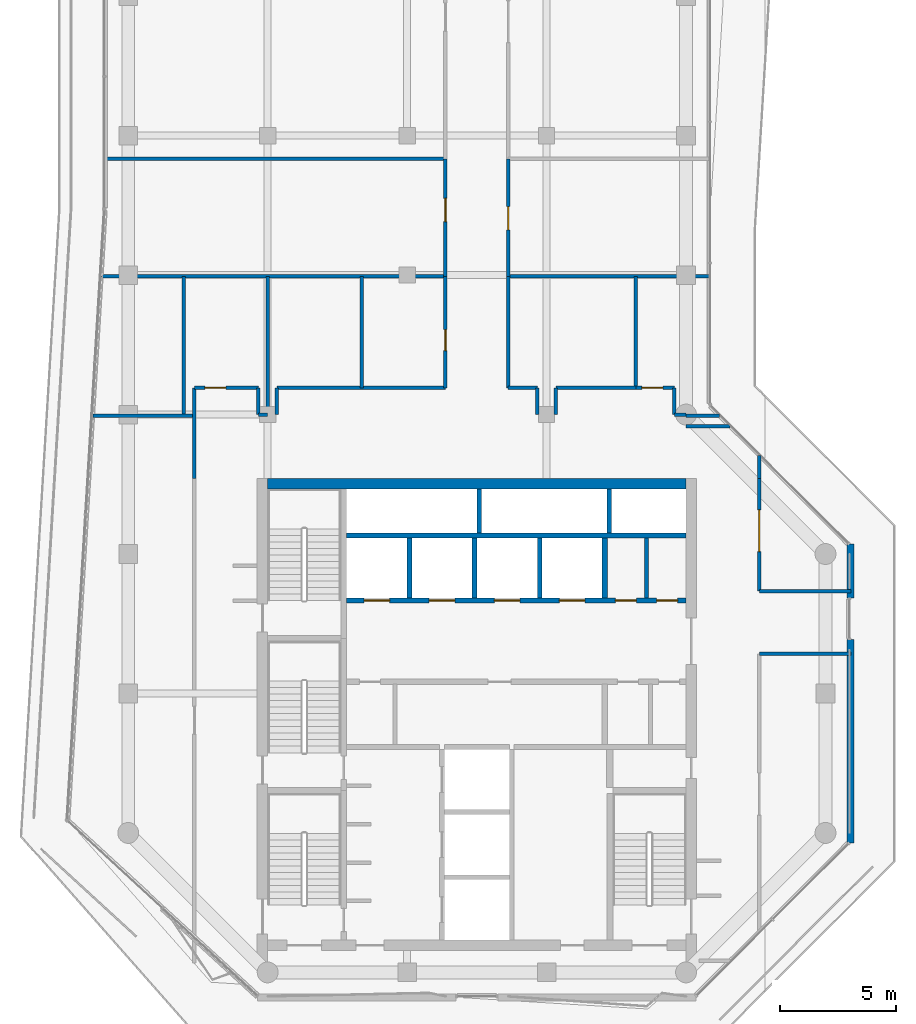
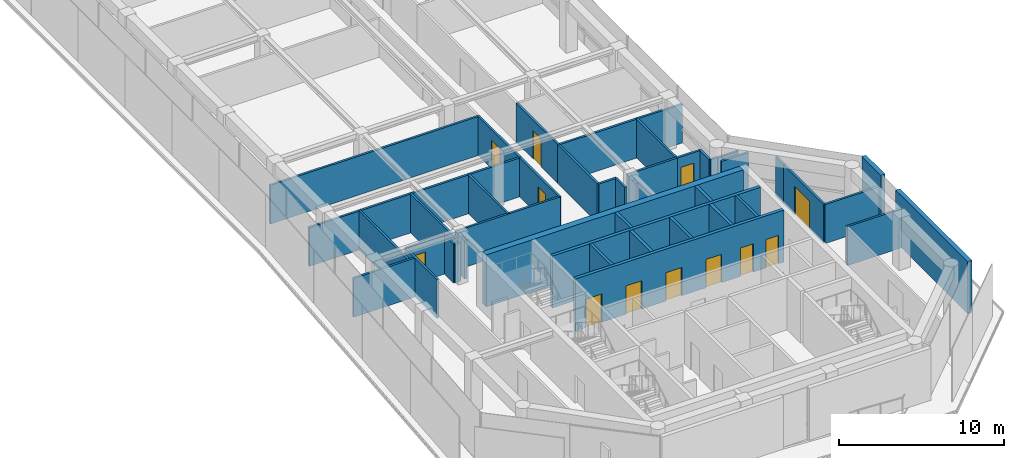
# One storey, part 16 of 19: 43 walls, 12 doors, 12 openings.
"""IFC4 building model written with IfcOpenShell, lengths in metres."""

import ifcopenshell
import ifcopenshell.guid

model = None  # the IFC model being written
_history = None  # IfcOwnerHistory: only IFC2X3 demands one
_inside = {}  # id of a spatial element -> (the spatial element, [elements in it])
_under = {}  # id of a project, library or spatial element -> (it, [spatial elements below it])
_declared = {}  # id of a project -> (the project, [libraries it declares])
_typed = {}  # id of a type object -> (the type object, [elements of that type])
_made_of = {}  # id of a material, layer set ... -> (it, [elements and type objects made of it])


def new_model(schema):
    """Start an empty IFC model of exactly this schema.

    Asked for "IFC4X3", IfcOpenShell would pick the latest addendum, in which some entities
    have other attributes; the version numbers below select the first issue.
    IFC2X3 requires an IfcOwnerHistory on every rooted entity: one is made here for all.
    """
    global model, _history
    if schema == "IFC4X3":
        model = ifcopenshell.file(schema_version=(4, 3, 0, 0))
    else:
        model = ifcopenshell.file(schema=schema)
    _inside.clear()
    _under.clear()
    _declared.clear()
    _typed.clear()
    _made_of.clear()
    _history = None
    if model.schema == "IFC2X3":
        org = make("IfcOrganization", Name="unknown")
        user = make(
            "IfcPersonAndOrganization",
            ThePerson=make("IfcPerson", FamilyName="unknown"),
            TheOrganization=org,
        )
        app = make(
            "IfcApplication",
            ApplicationDeveloper=org,
            Version="unknown",
            ApplicationFullName="unknown",
            ApplicationIdentifier="unknown",
        )
        _history = make(
            "IfcOwnerHistory",
            OwningUser=user,
            OwningApplication=app,
            ChangeAction="ADDED",
            CreationDate=0,
        )
    return model


def make(cls, **values):
    """One entity of the class cls with the attributes given. An attribute that is None is left unset."""
    return model.create_entity(
        cls, **{name: value for name, value in values.items() if value is not None}
    )


def rooted(cls, **values):
    """An entity with a GlobalId (a new one), such as an element, a storey or a relation."""
    return make(cls, GlobalId=ifcopenshell.guid.new(), OwnerHistory=_history, **values)


def si_unit(unit_type, name, prefix=None):
    """IfcSIUnit, for example si_unit("LENGTHUNIT", "METRE", prefix="MILLI")."""
    return make("IfcSIUnit", UnitType=unit_type, Prefix=prefix, Name=name)


def assignment(units):
    """IfcUnitAssignment: the units of a project."""
    return None if units is None else make("IfcUnitAssignment", Units=units)


def point(xyz):
    """IfcCartesianPoint."""
    return None if xyz is None else make("IfcCartesianPoint", Coordinates=xyz)


def direction(xyz):
    """IfcDirection."""
    return None if xyz is None else make("IfcDirection", DirectionRatios=xyz)


def frame(location, z_axis=None, x_axis=None):
    """IfcAxis2Placement3D, a coordinate frame: its origin and axes. An axis left out is left unset."""
    return make(
        "IfcAxis2Placement3D",
        Location=point(location),
        Axis=direction(z_axis),
        RefDirection=direction(x_axis),
    )


def frame_2d(location, x_axis=None):
    """IfcAxis2Placement2D, a coordinate frame in the plane: its origin and x axis."""
    return make(
        "IfcAxis2Placement2D", Location=point(location), RefDirection=direction(x_axis)
    )


def origin():
    """The frame at (0, 0, 0) with its axes left unset."""
    return frame((0.0, 0.0, 0.0))


def place(relative_to, where):
    """IfcLocalPlacement: puts the frame where relative to a parent placement (None: the world)."""
    return make(
        "IfcLocalPlacement", PlacementRelTo=relative_to, RelativePlacement=where
    )


def context(
    kind, dimensions, precision=None, world=None, true_north=None, identifier=None
):
    """IfcGeometricRepresentationContext, for example the 3D "Model" context."""
    return make(
        "IfcGeometricRepresentationContext",
        ContextIdentifier=identifier,
        ContextType=kind,
        CoordinateSpaceDimension=dimensions,
        Precision=precision,
        WorldCoordinateSystem=world,
        TrueNorth=true_north,
    )


def subcontext(parent, identifier, kind, view, scale=None):
    """IfcGeometricRepresentationSubContext, for example "Body" below "Model"."""
    return make(
        "IfcGeometricRepresentationSubContext",
        ContextIdentifier=identifier,
        ContextType=kind,
        ParentContext=parent,
        TargetScale=scale,
        TargetView=view,
    )


def project(units=None, contexts=None):
    """IfcProject with its units and contexts."""
    return rooted(
        "IfcProject",
        Name="project",
        RepresentationContexts=contexts,
        UnitsInContext=assignment(units),
    )


def spatial(cls, under=None, at=None, **own):
    """A site, building, storey or space (cls), placed at a placement, below another one or the project."""
    s = rooted(cls, ObjectPlacement=at, **own)
    if under is not None:
        _under.setdefault(under.id(), (under, []))[1].append(s)
    return s


def profile(cls, at=None, kind="AREA", **sizes):
    """A parametric profile (cls). Its sizes go by their IFC names, for example OverallWidth=200.0."""
    return make(cls, ProfileType=kind, Position=at, **sizes)


def rectangle(**sizes):
    """IfcRectangleProfileDef."""
    return profile("IfcRectangleProfileDef", **sizes)


def extrude(swept, where, along, depth):
    """IfcExtrudedAreaSolid: the profile swept, set in the frame where, extruded along a direction by depth."""
    return make(
        "IfcExtrudedAreaSolid",
        SweptArea=swept,
        Position=where,
        ExtrudedDirection=direction(along),
        Depth=depth,
    )


def shape(context_of_items, identifier, shape_type, items):
    """IfcShapeRepresentation: the items that make up one representation, for example the "Body"."""
    return make(
        "IfcShapeRepresentation",
        ContextOfItems=context_of_items,
        RepresentationIdentifier=identifier,
        RepresentationType=shape_type,
        Items=items,
    )


def material(Name=None, Category=None):
    """IfcMaterial."""
    return make("IfcMaterial", Name=Name, Category=Category)


def layer(
    of_material, thickness, ventilated=None, Name=None, Category=None, Priority=None
):
    """IfcMaterialLayer: one layer of a wall or slab, of a material (None: an air gap)."""
    return make(
        "IfcMaterialLayer",
        Material=of_material,
        LayerThickness=thickness,
        IsVentilated=ventilated,
        Name=Name,
        Category=Category,
        Priority=Priority,
    )


def layer_set(layers, Name=None):
    """IfcMaterialLayerSet."""
    return make("IfcMaterialLayerSet", MaterialLayers=layers, LayerSetName=Name)


def made_of(thing, what):
    """Note that an element or type object is made of a material, layer set ...; save() writes the relation."""
    if what is not None:
        _made_of.setdefault(what.id(), (what, []))[1].append(thing)
    return thing


def type_object(cls, material=None, **own):
    """A type object (cls), such as IfcWallType, which elements share."""
    return made_of(rooted(cls, **own), material)


def element(
    cls,
    number,
    at=None,
    inside=None,
    cuts=None,
    type_object=None,
    material=None,
    context=None,
    identifier="Body",
    shape_type=None,
    held_by="IfcProductDefinitionShape",
    body=None,
    shapes=None,
    **own,
):
    """One element of the class cls, such as IfcWall. Its Tag is "e" and its number.

    at: its placement. inside: the storey or other place that contains it. cuts: it is an
    opening in that element (IfcRelVoidsElement). A single representation is given by context,
    identifier, shape_type and body (its items); several are given by shapes. held_by: the class
    of the entity that holds the representations. save() writes the other relations.
    """
    e = rooted(cls, Tag="e%d" % number, ObjectPlacement=at, **own)
    if body is not None:
        shapes = [shape(context, identifier, shape_type, body)]
    if shapes is not None:
        e.Representation = make(held_by, Representations=shapes)
    if inside is not None:
        _inside.setdefault(inside.id(), (inside, []))[1].append(e)
    if cuts is not None:
        rooted(
            "IfcRelVoidsElement", RelatingBuildingElement=cuts, RelatedOpeningElement=e
        )
    if type_object is not None:
        _typed.setdefault(type_object.id(), (type_object, []))[1].append(e)
    return made_of(e, material)


def fill(opening, filler):
    """IfcRelFillsElement: the door or window that sits in an opening."""
    return rooted(
        "IfcRelFillsElement",
        RelatingOpeningElement=opening,
        RelatedBuildingElement=filler,
    )


def aggregate(whole, parts):
    """IfcRelAggregates: a whole, such as a stair, and the parts it consists of."""
    return rooted("IfcRelAggregates", RelatingObject=whole, RelatedObjects=parts)


def save(model, path):
    """Write the relations noted so far, then the file.

    IfcRelAggregates (storeys below a building ...), IfcRelContainedInSpatialStructure (elements
    in a storey), IfcRelDefinesByType, IfcRelAssociatesMaterial and IfcRelDeclares: one each for
    every whole, place, type object, material and project.
    """
    for whole, parts in _under.values():
        aggregate(whole, parts)
    for where, things in _inside.values():
        rooted(
            "IfcRelContainedInSpatialStructure",
            RelatedElements=things,
            RelatingStructure=where,
        )
    for kind, things in _typed.values():
        rooted("IfcRelDefinesByType", RelatedObjects=things, RelatingType=kind)
    for what, things in _made_of.values():
        rooted("IfcRelAssociatesMaterial", RelatedObjects=things, RelatingMaterial=what)
    for by, libraries in _declared.values():
        rooted("IfcRelDeclares", RelatingContext=by, RelatedDefinitions=libraries)
    model.write(path)


model = new_model("IFC4")

# Units and contexts
model_context = context("Model", 3, precision=1e-05, world=origin(), true_north=direction((0.0, 1.0)))
body_context = subcontext(model_context, "Body", "Model", "MODEL_VIEW")
ifc_project = project(units=[si_unit("LENGTHUNIT", "METRE"), si_unit("AREAUNIT", "SQUARE_METRE"), si_unit("VOLUMEUNIT", "CUBIC_METRE"), si_unit("PLANEANGLEUNIT", "RADIAN"), si_unit("MASSUNIT", "GRAM", prefix="KILO")], contexts=[model_context])

# Site, building, storey
site_placement = place(None, origin())
site = spatial("IfcSite", under=ifc_project, at=site_placement, CompositionType="ELEMENT")
building_placement = place(site_placement, origin())
building = spatial("IfcBuilding", under=site, at=building_placement, Name="Welwitschia Terrace Campus", CompositionType="ELEMENT")
storey_placement = place(building_placement, frame((0.0, 0.0, 243.199951171875)))
storey = spatial("IfcBuildingStorey", under=building, at=storey_placement, Name="L54", CompositionType="ELEMENT", Elevation=243.199951171875)

# Wall
ifc_material_1 = material(Name="Concrete C32/40", Category="concrete")
ifc_layer_1 = layer(ifc_material_1, 0.175048828125)
ifc_layer_set_1 = layer_set([ifc_layer_1], Name="Concrete C32/40")
wall_type_1 = type_object("IfcWallType", Name="Core partition 175 Concrete C32/40", PredefinedType="PARTITIONING", material=ifc_layer_set_1)
wall_1_placement = place(storey_placement, frame((22.300048828125, 20.10009765625, 0.0), z_axis=(0.0, 0.0, 1.0), x_axis=(0.0, 1.0, 0.0)))
element("IfcWall", 1, at=wall_1_placement, inside=storey, type_object=wall_type_1, Name="Core partition", PredefinedType="PARTITIONING", context=body_context, shape_type="SweptSolid", body=[
    extrude(rectangle(XDim=2.599853515625, YDim=0.175048828125, at=frame_2d((1.2998046875, 0.0))), origin(), (0.0, 0.0, 1.0), 3.85009765625),
])

# Wall, openings, doors
ifc_material_2 = material(Name="Concrete C32/40", Category="concrete")
ifc_layer_2 = layer(ifc_material_2, 0.22509765625)
ifc_layer_set_2 = layer_set([ifc_layer_2], Name="Concrete C32/40")
wall_type_2 = type_object("IfcWallType", Name="Core partition 225 Concrete C32/40", PredefinedType="PARTITIONING", material=ifc_layer_set_2)
wall_2_placement = place(storey_placement, frame((24.0, 20.0, 0.0), z_axis=(0.0, 0.0, 1.0), x_axis=(-1.0, 0.0, 0.0)))
wall_2 = element("IfcWall", 2, at=wall_2_placement, inside=storey, type_object=wall_type_2, Name="Shaft wall", PredefinedType="PARTITIONING", context=body_context, shape_type="SweptSolid", body=[
    extrude(rectangle(XDim=14.60009765625, YDim=0.22509765625, at=frame_2d((7.300048828125, 0.0))), origin(), (0.0, 0.0, 1.0), 3.85009765625),
])
opening_1_placement = place(wall_2_placement, frame((12.75, 0.0, 0.0)))
opening_1 = element("IfcOpeningElement", 3, at=opening_1_placement, cuts=wall_2, Name="Opening LD", PredefinedType="OPENING", context=body_context, shape_type="SweptSolid", body=[
    extrude(rectangle(XDim=1.10009765625, YDim=2.10009765625, at=frame_2d((0.550048828125, 1.050048828125))), frame((0.0, 0.12255859375, 0.0), z_axis=(0.0, -1.0, 0.0), x_axis=(1.0, 0.0, 0.0)), (0.0, 0.0, 1.0), 0.2451171875),
])
opening_2_placement = place(wall_2_placement, frame((9.949951171875, 0.0, 0.0)))
opening_2 = element("IfcOpeningElement", 4, at=opening_2_placement, cuts=wall_2, Name="Opening LD", PredefinedType="OPENING", context=body_context, shape_type="SweptSolid", body=[
    extrude(rectangle(XDim=1.10009765625, YDim=2.10009765625, at=frame_2d((0.550048828125, 1.050048828125))), frame((0.0, 0.12255859375, 0.0), z_axis=(0.0, -1.0, 0.0), x_axis=(1.0, 0.0, 0.0)), (0.0, 0.0, 1.0), 0.2451171875),
])
opening_3_placement = place(wall_2_placement, frame((7.14990234375, 0.0, 0.0)))
opening_3 = element("IfcOpeningElement", 5, at=opening_3_placement, cuts=wall_2, Name="Opening LD", PredefinedType="OPENING", context=body_context, shape_type="SweptSolid", body=[
    extrude(rectangle(XDim=1.10009765625, YDim=2.10009765625, at=frame_2d((0.550048828125, 1.050048828125))), frame((0.0, 0.12255859375, 0.0), z_axis=(0.0, -1.0, 0.0), x_axis=(1.0, 0.0, 0.0)), (0.0, 0.0, 1.0), 0.2451171875),
])
opening_4_placement = place(wall_2_placement, frame((4.35009765625, 0.0, 0.0)))
opening_4 = element("IfcOpeningElement", 6, at=opening_4_placement, cuts=wall_2, Name="Opening LD", PredefinedType="OPENING", context=body_context, shape_type="SweptSolid", body=[
    extrude(rectangle(XDim=1.10009765625, YDim=2.10009765625, at=frame_2d((0.550048828125, 1.050048828125))), frame((0.0, 0.12255859375, 0.0), z_axis=(0.0, -1.0, 0.0), x_axis=(1.0, 0.0, 0.0)), (0.0, 0.0, 1.0), 0.2451171875),
])
opening_5_placement = place(wall_2_placement, frame((2.137451171875, 0.0, 0.0)))
opening_5 = element("IfcOpeningElement", 7, at=opening_5_placement, cuts=wall_2, Name="Opening DR09", PredefinedType="OPENING", context=body_context, shape_type="SweptSolid", body=[
    extrude(rectangle(XDim=0.89990234375, YDim=2.10009765625, at=frame_2d((0.449951171875, 1.050048828125))), frame((0.0, 0.12255859375, 0.0), z_axis=(0.0, -1.0, 0.0), x_axis=(1.0, 0.0, 0.0)), (0.0, 0.0, 1.0), 0.2451171875),
])
opening_6_placement = place(wall_2_placement, frame((0.362548828125, 0.0, 0.0)))
opening_6 = element("IfcOpeningElement", 8, at=opening_6_placement, cuts=wall_2, Name="Opening DR09", PredefinedType="OPENING", context=body_context, shape_type="SweptSolid", body=[
    extrude(rectangle(XDim=0.89990234375, YDim=2.10009765625, at=frame_2d((0.449951171875, 1.050048828125))), frame((0.0, 0.12255859375, 0.0), z_axis=(0.0, -1.0, 0.0), x_axis=(1.0, 0.0, 0.0)), (0.0, 0.0, 1.0), 0.2451171875),
])
ifc_material_3 = material(Name="Steel S275", Category="steel")
door_type_1 = type_object("IfcDoorType", Name="Core door DR09", OperationType="SINGLE_SWING_LEFT", PredefinedType="DOOR", material=ifc_material_3)
door_1_placement = place(opening_5_placement, origin())
door_1 = element("IfcDoor", 9, at=door_1_placement, inside=storey, type_object=door_type_1, Name="Door EH1-D", OperationType="SINGLE_SWING_LEFT", OverallHeight=2.10009765625, OverallWidth=0.89990234375, PredefinedType="DOOR", context=body_context, shape_type="SweptSolid", body=[
    extrude(rectangle(XDim=0.89990234375, YDim=2.10009765625, at=frame_2d((0.449951171875, 1.050048828125))), frame((0.0, 0.02490234375, 0.0), z_axis=(0.0, -1.0, 0.0), x_axis=(1.0, 0.0, 0.0)), (0.0, 0.0, 1.0), 0.050048828125),
])
fill(opening_5, door_1)
door_2_placement = place(opening_6_placement, origin())
door_2 = element("IfcDoor", 10, at=door_2_placement, inside=storey, type_object=door_type_1, Name="Door EH2-D", OperationType="SINGLE_SWING_LEFT", OverallHeight=2.10009765625, OverallWidth=0.89990234375, PredefinedType="DOOR", context=body_context, shape_type="SweptSolid", body=[
    extrude(rectangle(XDim=0.89990234375, YDim=2.10009765625, at=frame_2d((0.449951171875, 1.050048828125))), frame((0.0, 0.02490234375, 0.0), z_axis=(0.0, -1.0, 0.0), x_axis=(1.0, 0.0, 0.0)), (0.0, 0.0, 1.0), 0.050048828125),
])
fill(opening_6, door_2)
ifc_material_4 = material(Name="Stainless steel 304", Category="steel")
door_type_2 = type_object("IfcDoorType", Name="Lift landing door", OperationType="DOUBLE_DOOR_SLIDING", PredefinedType="DOOR", material=ifc_material_4)
door_3_placement = place(opening_1_placement, origin())
door_3 = element("IfcDoor", 11, at=door_3_placement, inside=storey, type_object=door_type_2, Name="Landing door HR1", OperationType="DOUBLE_DOOR_SLIDING", OverallHeight=2.10009765625, OverallWidth=1.10009765625, PredefinedType="DOOR", context=body_context, shape_type="SweptSolid", body=[
    extrude(rectangle(XDim=1.10009765625, YDim=2.10009765625, at=frame_2d((0.550048828125, 1.050048828125))), frame((0.0, 0.02490234375, 0.0), z_axis=(0.0, -1.0, 0.0), x_axis=(1.0, 0.0, 0.0)), (0.0, 0.0, 1.0), 0.050048828125),
])
fill(opening_1, door_3)
door_4_placement = place(opening_2_placement, origin())
door_4 = element("IfcDoor", 12, at=door_4_placement, inside=storey, type_object=door_type_2, Name="Landing door HR2", OperationType="DOUBLE_DOOR_SLIDING", OverallHeight=2.10009765625, OverallWidth=1.10009765625, PredefinedType="DOOR", context=body_context, shape_type="SweptSolid", body=[
    extrude(rectangle(XDim=1.10009765625, YDim=2.10009765625, at=frame_2d((0.550048828125, 1.050048828125))), frame((0.0, 0.02490234375, 0.0), z_axis=(0.0, -1.0, 0.0), x_axis=(1.0, 0.0, 0.0)), (0.0, 0.0, 1.0), 0.050048828125),
])
fill(opening_2, door_4)
door_5_placement = place(opening_3_placement, origin())
door_5 = element("IfcDoor", 13, at=door_5_placement, inside=storey, type_object=door_type_2, Name="Landing door HR3", OperationType="DOUBLE_DOOR_SLIDING", OverallHeight=2.10009765625, OverallWidth=1.10009765625, PredefinedType="DOOR", context=body_context, shape_type="SweptSolid", body=[
    extrude(rectangle(XDim=1.10009765625, YDim=2.10009765625, at=frame_2d((0.550048828125, 1.050048828125))), frame((0.0, 0.02490234375, 0.0), z_axis=(0.0, -1.0, 0.0), x_axis=(1.0, 0.0, 0.0)), (0.0, 0.0, 1.0), 0.050048828125),
])
fill(opening_3, door_5)
door_6_placement = place(opening_4_placement, origin())
door_6 = element("IfcDoor", 14, at=door_6_placement, inside=storey, type_object=door_type_2, Name="Landing door HR4", OperationType="DOUBLE_DOOR_SLIDING", OverallHeight=2.10009765625, OverallWidth=1.10009765625, PredefinedType="DOOR", context=body_context, shape_type="SweptSolid", body=[
    extrude(rectangle(XDim=1.10009765625, YDim=2.10009765625, at=frame_2d((0.550048828125, 1.050048828125))), frame((0.0, 0.02490234375, 0.0), z_axis=(0.0, -1.0, 0.0), x_axis=(1.0, 0.0, 0.0)), (0.0, 0.0, 1.0), 0.050048828125),
])
fill(opening_4, door_6)

# Walls
wall_3_placement = place(storey_placement, frame((9.39990234375, 22.800048828125, 0.0), z_axis=(0.0, 0.0, 1.0), x_axis=(1.0, 0.0, 0.0)))
element("IfcWall", 15, at=wall_3_placement, inside=storey, type_object=wall_type_2, Name="Shaft wall", PredefinedType="PARTITIONING", context=body_context, shape_type="SweptSolid", body=[
    extrude(rectangle(XDim=14.60009765625, YDim=0.22509765625, at=frame_2d((7.300048828125, 0.0))), origin(), (0.0, 0.0, 1.0), 3.85009765625),
])
wall_4_placement = place(storey_placement, frame((20.5, 20.10009765625, 0.0), z_axis=(0.0, 0.0, 1.0), x_axis=(0.0, 1.0, 0.0)))
element("IfcWall", 16, at=wall_4_placement, inside=storey, type_object=wall_type_2, Name="Shaft wall", PredefinedType="PARTITIONING", context=body_context, shape_type="SweptSolid", body=[
    extrude(rectangle(XDim=2.599853515625, YDim=0.22509765625, at=frame_2d((1.2998046875, 0.0))), origin(), (0.0, 0.0, 1.0), 3.85009765625),
])
ifc_material_5 = material(Name="Concrete C50/60", Category="concrete")
ifc_layer_3 = layer(ifc_material_5, 0.199951171875)
ifc_layer_set_3 = layer_set([ifc_layer_3], Name="Concrete C50/60")
wall_type_3 = type_object("IfcWallType", Name="Core wall 200 Concrete C50/60", PredefinedType="SHEAR", material=ifc_layer_set_3)
for number, where, z_axis, x_axis, name in (
    (17, (15.10009765625, 22.89990234375, 0.0), (0.0, 0.0, 1.0), (0.0, 1.0, 0.0), "Core wall"),
    (18, (20.699951171875, 22.89990234375, 0.0), (0.0, 0.0, 1.0), (0.0, 1.0, 0.0), "Core wall"),
):
    element("IfcWall", number, at=place(storey_placement, frame(where, z_axis=z_axis, x_axis=x_axis)), inside=storey, type_object=wall_type_3, Name=name, PredefinedType="SHEAR", context=body_context, shape_type="SweptSolid", body=[
        extrude(rectangle(XDim=1.900146484375, YDim=0.199951171875, at=frame_2d((0.9501953125, 0.0))), origin(), (0.0, 0.0, 1.0), 3.85009765625),
    ])
ifc_material_6 = material(Name="Concrete C60/75", Category="concrete")
ifc_layer_4 = layer(ifc_material_6, 0.449951171875)
ifc_layer_set_4 = layer_set([ifc_layer_4], Name="Concrete C60/75")
wall_type_4 = type_object("IfcWallType", Name="Core wall 450 Concrete C60/75", PredefinedType="SHEAR", material=ifc_layer_set_4)
wall_5_placement = place(storey_placement, frame((6.0, 25.02490234375, 0.0), z_axis=(0.0, 0.0, 1.0), x_axis=(1.0, 0.0, 0.0)))
element("IfcWall", 19, at=wall_5_placement, inside=storey, type_object=wall_type_4, Name="Core outer wall", PredefinedType="SHEAR", context=body_context, shape_type="SweptSolid", body=[
    extrude(rectangle(XDim=18.0, YDim=0.449951171875, at=frame_2d((9.0, 0.0))), origin(), (0.0, 0.0, 1.0), 3.85009765625),
])
ifc_material_7 = material(Name="Gypsum board on steel studs", Category="steel")
ifc_layer_5 = layer(ifc_material_7, 0.14990234375)
ifc_layer_set_5 = layer_set([ifc_layer_5], Name="Gypsum board on steel studs")
wall_type_5 = type_object("IfcWallType", Name="Corridor partition 150 EI 30", PredefinedType="PARTITIONING", material=ifc_layer_set_5)
wall_6_placement = place(storey_placement, frame((-1.52001953125, 27.949951171875, 0.0), z_axis=(0.0, 0.0, 1.0), x_axis=(1.0, 0.0, 0.0)))
element("IfcWall", 20, at=wall_6_placement, inside=storey, type_object=wall_type_5, Name="Partition", PredefinedType="PARTITIONING", context=body_context, shape_type="SweptSolid", body=[
    extrude(rectangle(XDim=4.3701171875, YDim=0.14990234375, at=frame_2d((2.18505859375, 0.0))), origin(), (0.0, 0.0, 1.0), 2.880126953125),
])
wall_7_placement = place(storey_placement, frame((-1.159912109375, 33.949951171875, 0.0), z_axis=(0.0, 0.0, 1.0), x_axis=(1.0, 0.0, 0.0)))
element("IfcWall", 21, at=wall_7_placement, inside=storey, type_object=wall_type_5, Name="Partition", PredefinedType="PARTITIONING", context=body_context, shape_type="SweptSolid", body=[
    extrude(rectangle(XDim=14.809814453125, YDim=0.14990234375, at=frame_2d((7.40478515625, 0.0))), origin(), (0.0, 0.0, 1.0), 2.880126953125),
])
wall_8_placement = place(storey_placement, frame((-0.97998046875, 39.0, 0.0), z_axis=(0.0, 0.0, 1.0), x_axis=(1.0, 0.0, 0.0)))
element("IfcWall", 22, at=wall_8_placement, inside=storey, type_object=wall_type_5, Name="Partition", PredefinedType="PARTITIONING", context=body_context, shape_type="SweptSolid", body=[
    extrude(rectangle(XDim=14.6298828125, YDim=0.14990234375, at=frame_2d((7.31494140625, 0.0))), origin(), (0.0, 0.0, 1.0), 2.880126953125),
])
wall_9_placement = place(storey_placement, frame((2.39990234375, 27.949951171875, 0.0), z_axis=(0.0, 0.0, 1.0), x_axis=(0.0, 1.0, 0.0)))
element("IfcWall", 23, at=wall_9_placement, inside=storey, type_object=wall_type_5, Name="Partition", PredefinedType="PARTITIONING", context=body_context, shape_type="SweptSolid", body=[
    extrude(rectangle(XDim=6.0, YDim=0.14990234375, at=frame_2d((3.0, 0.0))), origin(), (0.0, 0.0, 1.0), 2.880126953125),
])
wall_10_placement = place(storey_placement, frame((2.85009765625, 25.25, 0.0), z_axis=(0.0, 0.0, 1.0), x_axis=(0.0, 1.0, 0.0)))
element("IfcWall", 24, at=wall_10_placement, inside=storey, type_object=wall_type_5, Name="Partition", PredefinedType="PARTITIONING", context=body_context, shape_type="SweptSolid", body=[
    extrude(rectangle(XDim=3.89990234375, YDim=0.14990234375, at=frame_2d((1.949951171875, 0.0))), origin(), (0.0, 0.0, 1.0), 2.880126953125),
])

# Wall, opening, door
wall_11_placement = place(storey_placement, frame((2.85009765625, 29.14990234375, 0.0), z_axis=(0.0, 0.0, 1.0), x_axis=(1.0, 0.0, 0.0)))
wall_11 = element("IfcWall", 25, at=wall_11_placement, inside=storey, type_object=wall_type_5, Name="Partition", PredefinedType="PARTITIONING", context=body_context, shape_type="SweptSolid", body=[
    extrude(rectangle(XDim=2.75, YDim=0.14990234375, at=frame_2d((1.375, 0.0))), origin(), (0.0, 0.0, 1.0), 2.880126953125),
])
opening_7_placement = place(wall_11_placement, frame((0.449951171875, 0.0, 0.0)))
opening_7 = element("IfcOpeningElement", 26, at=opening_7_placement, cuts=wall_11, Name="Opening DI09", PredefinedType="OPENING", context=body_context, shape_type="SweptSolid", body=[
    extrude(rectangle(XDim=0.89990234375, YDim=2.10009765625, at=frame_2d((0.449951171875, 1.050048828125))), frame((0.0, 0.0849609375, 0.0), z_axis=(0.0, -1.0, 0.0), x_axis=(1.0, 0.0, 0.0)), (0.0, 0.0, 1.0), 0.169921875),
])
ifc_material_8 = material(Name="Timber veneered door", Category="wood")
door_type_3 = type_object("IfcDoorType", Name="Interior door DI09", OperationType="NOTDEFINED", PredefinedType="DOOR", material=ifc_material_8)
door_7_placement = place(opening_7_placement, origin())
door_7 = element("IfcDoor", 27, at=door_7_placement, inside=storey, type_object=door_type_3, Name="Door L54 988", OperationType="SINGLE_SWING_LEFT", OverallHeight=2.10009765625, OverallWidth=0.89990234375, PredefinedType="DOOR", context=body_context, shape_type="SweptSolid", body=[
    extrude(rectangle(XDim=0.89990234375, YDim=2.10009765625, at=frame_2d((0.449951171875, 1.050048828125))), frame((0.0, 0.02490234375, 0.0), z_axis=(0.0, -1.0, 0.0), x_axis=(1.0, 0.0, 0.0)), (0.0, 0.0, 1.0), 0.050048828125),
])
fill(opening_7, door_7)

# Walls
wall_12_placement = place(storey_placement, frame((5.60009765625, 28.0, 0.0), z_axis=(0.0, 0.0, 1.0), x_axis=(0.0, 1.0, 0.0)))
element("IfcWall", 28, at=wall_12_placement, inside=storey, type_object=wall_type_5, Name="Partition", PredefinedType="PARTITIONING", context=body_context, shape_type="SweptSolid", body=[
    extrude(rectangle(XDim=1.14990234375, YDim=0.14990234375, at=frame_2d((0.574951171875, 0.0))), origin(), (0.0, 0.0, 1.0), 2.880126953125),
])
wall_13_placement = place(storey_placement, frame((5.60009765625, 28.0, 0.0), z_axis=(0.0, 0.0, 1.0), x_axis=(1.0, 0.0, 0.0)))
element("IfcWall", 29, at=wall_13_placement, inside=storey, type_object=wall_type_5, Name="Partition", PredefinedType="PARTITIONING", context=body_context, shape_type="SweptSolid", body=[
    extrude(rectangle(XDim=0.39990234375, YDim=0.14990234375, at=frame_2d((0.199951171875, 0.0))), origin(), (0.0, 0.0, 1.0), 2.880126953125),
])
wall_14_placement = place(storey_placement, frame((6.0, 28.0, 0.0), z_axis=(0.0, 0.0, 1.0), x_axis=(0.0, 1.0, 0.0)))
element("IfcWall", 30, at=wall_14_placement, inside=storey, type_object=wall_type_5, Name="Partition", PredefinedType="PARTITIONING", context=body_context, shape_type="SweptSolid", body=[
    extrude(rectangle(XDim=5.949951171875, YDim=0.14990234375, at=frame_2d((2.97509765625, 0.0))), origin(), (0.0, 0.0, 1.0), 2.880126953125),
])
wall_15_placement = place(storey_placement, frame((6.39990234375, 28.0, 0.0), z_axis=(0.0, 0.0, 1.0), x_axis=(0.0, 1.0, 0.0)))
element("IfcWall", 31, at=wall_15_placement, inside=storey, type_object=wall_type_5, Name="Partition", PredefinedType="PARTITIONING", context=body_context, shape_type="SweptSolid", body=[
    extrude(rectangle(XDim=1.14990234375, YDim=0.14990234375, at=frame_2d((0.574951171875, 0.0))), origin(), (0.0, 0.0, 1.0), 2.880126953125),
])
wall_16_placement = place(storey_placement, frame((6.39990234375, 29.14990234375, 0.0), z_axis=(0.0, 0.0, 1.0), x_axis=(1.0, 0.0, 0.0)))
element("IfcWall", 32, at=wall_16_placement, inside=storey, type_object=wall_type_5, Name="Partition", PredefinedType="PARTITIONING", context=body_context, shape_type="SweptSolid", body=[
    extrude(rectangle(XDim=7.25, YDim=0.14990234375, at=frame_2d((3.625, 0.0))), origin(), (0.0, 0.0, 1.0), 2.880126953125),
])
wall_17_placement = place(storey_placement, frame((10.050048828125, 29.14990234375, 0.0), z_axis=(0.0, 0.0, 1.0), x_axis=(0.0, 1.0, 0.0)))
element("IfcWall", 33, at=wall_17_placement, inside=storey, type_object=wall_type_5, Name="Partition", PredefinedType="PARTITIONING", context=body_context, shape_type="SweptSolid", body=[
    extrude(rectangle(XDim=4.800048828125, YDim=0.14990234375, at=frame_2d((2.39990234375, 0.0))), origin(), (0.0, 0.0, 1.0), 2.880126953125),
])

# Wall, opening, door
wall_18_placement = place(storey_placement, frame((13.64990234375, 29.14990234375, 0.0), z_axis=(0.0, 0.0, 1.0), x_axis=(0.0, 1.0, 0.0)))
wall_18 = element("IfcWall", 34, at=wall_18_placement, inside=storey, type_object=wall_type_5, Name="Partition", PredefinedType="PARTITIONING", context=body_context, shape_type="SweptSolid", body=[
    extrude(rectangle(XDim=4.800048828125, YDim=0.14990234375, at=frame_2d((2.39990234375, 0.0))), origin(), (0.0, 0.0, 1.0), 2.880126953125),
])
opening_8_placement = place(wall_18_placement, frame((1.60009765625, 0.0, 0.0)))
opening_8 = element("IfcOpeningElement", 35, at=opening_8_placement, cuts=wall_18, Name="Opening DI09", PredefinedType="OPENING", context=body_context, shape_type="SweptSolid", body=[
    extrude(rectangle(XDim=0.89990234375, YDim=2.10009765625, at=frame_2d((0.449951171875, 1.050048828125))), frame((0.0, 0.0849609375, 0.0), z_axis=(0.0, -1.0, 0.0), x_axis=(1.0, 0.0, 0.0)), (0.0, 0.0, 1.0), 0.169921875),
])
door_8_placement = place(opening_8_placement, origin())
door_8 = element("IfcDoor", 36, at=door_8_placement, inside=storey, type_object=door_type_3, Name="Door L54 989", OperationType="SINGLE_SWING_RIGHT", OverallHeight=2.10009765625, OverallWidth=0.89990234375, PredefinedType="DOOR", context=body_context, shape_type="SweptSolid", body=[
    extrude(rectangle(XDim=0.89990234375, YDim=2.10009765625, at=frame_2d((0.449951171875, 1.050048828125))), frame((0.0, 0.02490234375, 0.0), z_axis=(0.0, -1.0, 0.0), x_axis=(1.0, 0.0, 0.0)), (0.0, 0.0, 1.0), 0.050048828125),
])
fill(opening_8, door_8)

wall_19_placement = place(storey_placement, frame((13.64990234375, 33.949951171875, 0.0), z_axis=(0.0, 0.0, 1.0), x_axis=(0.0, 1.0, 0.0)))
wall_19 = element("IfcWall", 37, at=wall_19_placement, inside=storey, type_object=wall_type_5, Name="Partition", PredefinedType="PARTITIONING", context=body_context, shape_type="SweptSolid", body=[
    extrude(rectangle(XDim=5.050048828125, YDim=0.14990234375, at=frame_2d((2.52490234375, 0.0))), origin(), (0.0, 0.0, 1.0), 2.880126953125),
])
opening_9_placement = place(wall_19_placement, frame((2.35009765625, 0.0, 0.0)))
opening_9 = element("IfcOpeningElement", 38, at=opening_9_placement, cuts=wall_19, Name="Opening DI10", PredefinedType="OPENING", context=body_context, shape_type="SweptSolid", body=[
    extrude(rectangle(XDim=1.0, YDim=2.10009765625, at=frame_2d((0.5, 1.050048828125))), frame((0.0, 0.0849609375, 0.0), z_axis=(0.0, -1.0, 0.0), x_axis=(1.0, 0.0, 0.0)), (0.0, 0.0, 1.0), 0.169921875),
])
ifc_material_9 = material(Name="Timber veneered door", Category="wood")
door_type_4 = type_object("IfcDoorType", Name="Interior door DI10", OperationType="NOTDEFINED", PredefinedType="DOOR", material=ifc_material_9)
door_9_placement = place(opening_9_placement, origin())
door_9 = element("IfcDoor", 39, at=door_9_placement, inside=storey, type_object=door_type_4, Name="Door L54 990", OperationType="SINGLE_SWING_LEFT", OverallHeight=2.10009765625, OverallWidth=1.0, PredefinedType="DOOR", context=body_context, shape_type="SweptSolid", body=[
    extrude(rectangle(XDim=1.0, YDim=2.10009765625, at=frame_2d((0.5, 1.050048828125))), frame((0.0, 0.02490234375, 0.0), z_axis=(0.0, -1.0, 0.0), x_axis=(1.0, 0.0, 0.0)), (0.0, 0.0, 1.0), 0.050048828125),
])
fill(opening_9, door_9)

# Walls
wall_20_placement = place(storey_placement, frame((16.35009765625, 29.14990234375, 0.0), z_axis=(0.0, 0.0, 1.0), x_axis=(0.0, 1.0, 0.0)))
element("IfcWall", 40, at=wall_20_placement, inside=storey, type_object=wall_type_5, Name="Partition", PredefinedType="PARTITIONING", context=body_context, shape_type="SweptSolid", body=[
    extrude(rectangle(XDim=4.800048828125, YDim=0.14990234375, at=frame_2d((2.39990234375, 0.0))), origin(), (0.0, 0.0, 1.0), 2.880126953125),
])
wall_21_placement = place(storey_placement, frame((16.35009765625, 29.14990234375, 0.0), z_axis=(0.0, 0.0, 1.0), x_axis=(1.0, 0.0, 0.0)))
element("IfcWall", 41, at=wall_21_placement, inside=storey, type_object=wall_type_5, Name="Partition", PredefinedType="PARTITIONING", context=body_context, shape_type="SweptSolid", body=[
    extrude(rectangle(XDim=1.25, YDim=0.14990234375, at=frame_2d((0.625, 0.0))), origin(), (0.0, 0.0, 1.0), 2.880126953125),
])
wall_22_placement = place(storey_placement, frame((16.35009765625, 33.949951171875, 0.0), z_axis=(0.0, 0.0, 1.0), x_axis=(1.0, 0.0, 0.0)))
element("IfcWall", 42, at=wall_22_placement, inside=storey, type_object=wall_type_5, Name="Partition", PredefinedType="PARTITIONING", context=body_context, shape_type="SweptSolid", body=[
    extrude(rectangle(XDim=8.6298828125, YDim=0.14990234375, at=frame_2d((4.31494140625, 0.0))), origin(), (0.0, 0.0, 1.0), 2.880126953125),
])

# Wall, opening, door
wall_23_placement = place(storey_placement, frame((16.35009765625, 39.0, 0.0), z_axis=(0.0, 0.0, 1.0), x_axis=(0.0, -1.0, 0.0)))
wall_23 = element("IfcWall", 43, at=wall_23_placement, inside=storey, type_object=wall_type_5, Name="Partition", PredefinedType="PARTITIONING", context=body_context, shape_type="SweptSolid", body=[
    extrude(rectangle(XDim=5.050048828125, YDim=0.14990234375, at=frame_2d((2.52490234375, 0.0))), origin(), (0.0, 0.0, 1.0), 2.880126953125),
])
opening_10_placement = place(wall_23_placement, frame((2.050048828125, 0.0, 0.0)))
opening_10 = element("IfcOpeningElement", 44, at=opening_10_placement, cuts=wall_23, Name="Opening DI10", PredefinedType="OPENING", context=body_context, shape_type="SweptSolid", body=[
    extrude(rectangle(XDim=1.0, YDim=2.10009765625, at=frame_2d((0.5, 1.050048828125))), frame((0.0, 0.0849609375, 0.0), z_axis=(0.0, -1.0, 0.0), x_axis=(1.0, 0.0, 0.0)), (0.0, 0.0, 1.0), 0.169921875),
])
door_10_placement = place(opening_10_placement, origin())
door_10 = element("IfcDoor", 45, at=door_10_placement, inside=storey, type_object=door_type_4, Name="Door L54 995", OperationType="SINGLE_SWING_RIGHT", OverallHeight=2.10009765625, OverallWidth=1.0, PredefinedType="DOOR", context=body_context, shape_type="SweptSolid", body=[
    extrude(rectangle(XDim=1.0, YDim=2.10009765625, at=frame_2d((0.5, 1.050048828125))), frame((0.0, 0.02490234375, 0.0), z_axis=(0.0, -1.0, 0.0), x_axis=(1.0, 0.0, 0.0)), (0.0, 0.0, 1.0), 0.050048828125),
])
fill(opening_10, door_10)

# Walls
for number, where, z_axis, x_axis, name in (
    (46, (17.60009765625, 28.0, 0.0), (0.0, 0.0, 1.0), (0.0, 1.0, 0.0), "Partition"),
    (47, (18.39990234375, 28.0, 0.0), (0.0, 0.0, 1.0), (0.0, 1.0, 0.0), "Partition"),
):
    element("IfcWall", number, at=place(storey_placement, frame(where, z_axis=z_axis, x_axis=x_axis)), inside=storey, type_object=wall_type_5, Name=name, PredefinedType="PARTITIONING", context=body_context, shape_type="SweptSolid", body=[
        extrude(rectangle(XDim=1.14990234375, YDim=0.14990234375, at=frame_2d((0.574951171875, 0.0))), origin(), (0.0, 0.0, 1.0), 2.880126953125),
    ])
wall_24_placement = place(storey_placement, frame((18.39990234375, 29.14990234375, 0.0), z_axis=(0.0, 0.0, 1.0), x_axis=(1.0, 0.0, 0.0)))
element("IfcWall", 48, at=wall_24_placement, inside=storey, type_object=wall_type_5, Name="Partition", PredefinedType="PARTITIONING", context=body_context, shape_type="SweptSolid", body=[
    extrude(rectangle(XDim=3.440185546875, YDim=0.14990234375, at=frame_2d((1.72021484375, 0.0))), origin(), (0.0, 0.0, 1.0), 2.880126953125),
])
wall_25_placement = place(storey_placement, frame((21.840087890625, 29.14990234375, 0.0), z_axis=(0.0, 0.0, 1.0), x_axis=(0.0, 1.0, 0.0)))
element("IfcWall", 49, at=wall_25_placement, inside=storey, type_object=wall_type_5, Name="Partition", PredefinedType="PARTITIONING", context=body_context, shape_type="SweptSolid", body=[
    extrude(rectangle(XDim=4.800048828125, YDim=0.14990234375, at=frame_2d((2.39990234375, 0.0))), origin(), (0.0, 0.0, 1.0), 2.880126953125),
])

# Wall, opening, door
wall_26_placement = place(storey_placement, frame((21.840087890625, 29.14990234375, 0.0), z_axis=(0.0, 0.0, 1.0), x_axis=(1.0, 0.0, 0.0)))
wall_26 = element("IfcWall", 50, at=wall_26_placement, inside=storey, type_object=wall_type_5, Name="Partition", PredefinedType="PARTITIONING", context=body_context, shape_type="SweptSolid", body=[
    extrude(rectangle(XDim=1.659912109375, YDim=0.14990234375, at=frame_2d((0.830078125, 0.0))), origin(), (0.0, 0.0, 1.0), 2.880126953125),
])
opening_11_placement = place(wall_26_placement, frame((0.260009765625, 0.0, 0.0)))
opening_11 = element("IfcOpeningElement", 51, at=opening_11_placement, cuts=wall_26, Name="Opening DI09", PredefinedType="OPENING", context=body_context, shape_type="SweptSolid", body=[
    extrude(rectangle(XDim=0.89990234375, YDim=2.10009765625, at=frame_2d((0.449951171875, 1.050048828125))), frame((0.0, 0.0849609375, 0.0), z_axis=(0.0, -1.0, 0.0), x_axis=(1.0, 0.0, 0.0)), (0.0, 0.0, 1.0), 0.169921875),
])
door_11_placement = place(opening_11_placement, origin())
door_11 = element("IfcDoor", 52, at=door_11_placement, inside=storey, type_object=door_type_3, Name="Door L54 999", OperationType="SINGLE_SWING_RIGHT", OverallHeight=2.10009765625, OverallWidth=0.89990234375, PredefinedType="DOOR", context=body_context, shape_type="SweptSolid", body=[
    extrude(rectangle(XDim=0.89990234375, YDim=2.10009765625, at=frame_2d((0.449951171875, 1.050048828125))), frame((0.0, 0.02490234375, 0.0), z_axis=(0.0, -1.0, 0.0), x_axis=(1.0, 0.0, 0.0)), (0.0, 0.0, 1.0), 0.050048828125),
])
fill(opening_11, door_11)

# Walls
wall_27_placement = place(storey_placement, frame((23.5, 28.0, 0.0), z_axis=(0.0, 0.0, 1.0), x_axis=(0.0, 1.0, 0.0)))
element("IfcWall", 53, at=wall_27_placement, inside=storey, type_object=wall_type_5, Name="Partition", PredefinedType="PARTITIONING", context=body_context, shape_type="SweptSolid", body=[
    extrude(rectangle(XDim=1.14990234375, YDim=0.14990234375, at=frame_2d((0.574951171875, 0.0))), origin(), (0.0, 0.0, 1.0), 2.880126953125),
])
wall_28_placement = place(storey_placement, frame((23.5, 28.0, 0.0), z_axis=(0.0, 0.0, 1.0), x_axis=(1.0, 0.0, 0.0)))
element("IfcWall", 54, at=wall_28_placement, inside=storey, type_object=wall_type_5, Name="Partition", PredefinedType="PARTITIONING", context=body_context, shape_type="SweptSolid", body=[
    extrude(rectangle(XDim=0.5, YDim=0.14990234375, at=frame_2d((0.25, 0.0))), origin(), (0.0, 0.0, 1.0), 2.880126953125),
])
wall_29_placement = place(storey_placement, frame((24.0, 27.5, 0.0), z_axis=(0.0, 0.0, 1.0), x_axis=(1.0, 0.0, 0.0)))
element("IfcWall", 55, at=wall_29_placement, inside=storey, type_object=wall_type_5, Name="Partition", PredefinedType="PARTITIONING", context=body_context, shape_type="SweptSolid", body=[
    extrude(rectangle(XDim=1.889892578125, YDim=0.14990234375, at=frame_2d((0.94482421875, 0.0))), origin(), (0.0, 0.0, 1.0), 2.880126953125),
])
wall_30_placement = place(storey_placement, frame((24.0, 27.949951171875, 0.0), z_axis=(0.0, 0.0, 1.0), x_axis=(1.0, 0.0, 0.0)))
element("IfcWall", 56, at=wall_30_placement, inside=storey, type_object=wall_type_5, Name="Partition", PredefinedType="PARTITIONING", context=body_context, shape_type="SweptSolid", body=[
    extrude(rectangle(XDim=1.43994140625, YDim=0.14990234375, at=frame_2d((0.719970703125, 0.0))), origin(), (0.0, 0.0, 1.0), 2.880126953125),
])
wall_31_placement = place(storey_placement, frame((27.14990234375, 17.699951171875, 0.0), z_axis=(0.0, 0.0, 1.0), x_axis=(1.0, 0.0, 0.0)))
element("IfcWall", 57, at=wall_31_placement, inside=storey, type_object=wall_type_5, Name="Partition", PredefinedType="PARTITIONING", context=body_context, shape_type="SweptSolid", body=[
    extrude(rectangle(XDim=3.940185546875, YDim=0.14990234375, at=frame_2d((1.97021484375, 0.0))), origin(), (0.0, 0.0, 1.0), 2.880126953125),
])

# Wall, opening, door
wall_32_placement = place(storey_placement, frame((27.14990234375, 20.39990234375, 0.0), z_axis=(0.0, 0.0, 1.0), x_axis=(0.0, 1.0, 0.0)))
wall_32 = element("IfcWall", 58, at=wall_32_placement, inside=storey, type_object=wall_type_5, Name="Partition", PredefinedType="PARTITIONING", context=body_context, shape_type="SweptSolid", body=[
    extrude(rectangle(XDim=4.85009765625, YDim=0.14990234375, at=frame_2d((2.425048828125, 0.0))), origin(), (0.0, 0.0, 1.0), 2.880126953125),
])
opening_12_placement = place(wall_32_placement, frame((1.699951171875, 0.0, 0.0)))
opening_12 = element("IfcOpeningElement", 59, at=opening_12_placement, cuts=wall_32, Name="Opening DI18", PredefinedType="OPENING", context=body_context, shape_type="SweptSolid", body=[
    extrude(rectangle(XDim=1.800048828125, YDim=2.10009765625, at=frame_2d((0.89990234375, 1.050048828125))), frame((0.0, 0.0849609375, 0.0), z_axis=(0.0, -1.0, 0.0), x_axis=(1.0, 0.0, 0.0)), (0.0, 0.0, 1.0), 0.169921875),
])
ifc_material_10 = material(Name="Timber veneered door", Category="wood")
door_type_5 = type_object("IfcDoorType", Name="Interior door DI18", OperationType="DOUBLE_DOOR_SINGLE_SWING", PredefinedType="DOOR", material=ifc_material_10)
door_12_placement = place(opening_12_placement, origin())
door_12 = element("IfcDoor", 60, at=door_12_placement, inside=storey, type_object=door_type_5, Name="Door L54 1001", OperationType="SINGLE_SWING_LEFT", OverallHeight=2.10009765625, OverallWidth=1.800048828125, PredefinedType="DOOR", context=body_context, shape_type="SweptSolid", body=[
    extrude(rectangle(XDim=1.800048828125, YDim=2.10009765625, at=frame_2d((0.89990234375, 1.050048828125))), frame((0.0, 0.02490234375, 0.0), z_axis=(0.0, -1.0, 0.0), x_axis=(1.0, 0.0, 0.0)), (0.0, 0.0, 1.0), 0.050048828125),
])
fill(opening_12, door_12)

# Walls
wall_33_placement = place(storey_placement, frame((27.14990234375, 20.39990234375, 0.0), z_axis=(0.0, 0.0, 1.0), x_axis=(1.0, 0.0, 0.0)))
element("IfcWall", 61, at=wall_33_placement, inside=storey, type_object=wall_type_5, Name="Partition", PredefinedType="PARTITIONING", context=body_context, shape_type="SweptSolid", body=[
    extrude(rectangle(XDim=3.940185546875, YDim=0.14990234375, at=frame_2d((1.97021484375, 0.0))), origin(), (0.0, 0.0, 1.0), 2.880126953125),
])
wall_34_placement = place(storey_placement, frame((27.14990234375, 25.25, 0.0), z_axis=(0.0, 0.0, 1.0), x_axis=(0.0, 1.0, 0.0)))
element("IfcWall", 62, at=wall_34_placement, inside=storey, type_object=wall_type_5, Name="Partition", PredefinedType="PARTITIONING", context=body_context, shape_type="SweptSolid", body=[
    extrude(rectangle(XDim=0.97998046875, YDim=0.14990234375, at=frame_2d((0.489990234375, 0.0))), origin(), (0.0, 0.0, 1.0), 2.880126953125),
])
ifc_material_11 = material(Name="Concrete C40/50", Category="concrete")
ifc_layer_6 = layer(ifc_material_11, 0.300048828125)
ifc_layer_set_6 = layer_set([ifc_layer_6], Name="Concrete C40/50")
wall_type_6 = type_object("IfcWallType", Name="Mass wall 300", PredefinedType="SOLIDWALL", material=ifc_layer_set_6)
wall_35_placement = place(storey_placement, frame((31.07958984375, 9.573486328125, 0.0), z_axis=(0.0, 0.0, 1.0), x_axis=(0.0, 1.0, 0.0)))
element("IfcWall", 63, at=wall_35_placement, inside=storey, type_object=wall_type_6, Name="Mass wall L54.4.0", PredefinedType="SOLIDWALL", context=body_context, shape_type="SweptSolid", body=[
    extrude(rectangle(XDim=8.73974609375, YDim=0.300048828125, at=frame_2d((4.369873046875, 0.0))), origin(), (0.0, 0.0, 1.0), 3.85009765625),
])
wall_36_placement = place(storey_placement, frame((31.07958984375, 20.11328125, 0.0), z_axis=(0.0, 0.0, 1.0), x_axis=(0.0, 1.0, 0.0)))
element("IfcWall", 64, at=wall_36_placement, inside=storey, type_object=wall_type_6, Name="Mass wall L54.4.1", PredefinedType="SOLIDWALL", context=body_context, shape_type="SweptSolid", body=[
    extrude(rectangle(XDim=2.313232421875, YDim=0.300048828125, at=frame_2d((1.15673828125, 0.0))), origin(), (0.0, 0.0, 1.0), 3.85009765625),
])
ifc_material_12 = material(Name="Concrete C32/40", Category="concrete")
ifc_layer_7 = layer(ifc_material_12, 0.199951171875)
ifc_layer_set_7 = layer_set([ifc_layer_7], Name="Concrete C32/40")
wall_type_7 = type_object("IfcWallType", Name="Shaft wall 200 Concrete C32/40", PredefinedType="SOLIDWALL", material=ifc_layer_set_7)
for number, where, z_axis, x_axis, name in (
    (65, (12.10009765625, 20.10009765625, 0.0), (0.0, 0.0, 1.0), (0.0, 1.0, 0.0), "Shaft wall"),
    (66, (14.89990234375, 20.10009765625, 0.0), (0.0, 0.0, 1.0), (0.0, 1.0, 0.0), "Shaft wall"),
    (67, (17.699951171875, 20.10009765625, 0.0), (0.0, 0.0, 1.0), (0.0, 1.0, 0.0), "Shaft wall"),
):
    element("IfcWall", number, at=place(storey_placement, frame(where, z_axis=z_axis, x_axis=x_axis)), inside=storey, type_object=wall_type_7, Name=name, PredefinedType="SOLIDWALL", context=body_context, shape_type="SweptSolid", body=[
        extrude(rectangle(XDim=2.599853515625, YDim=0.199951171875, at=frame_2d((1.2998046875, 0.0))), origin(), (0.0, 0.0, 1.0), 3.85009765625),
    ])

save(model, "model.ifc")
